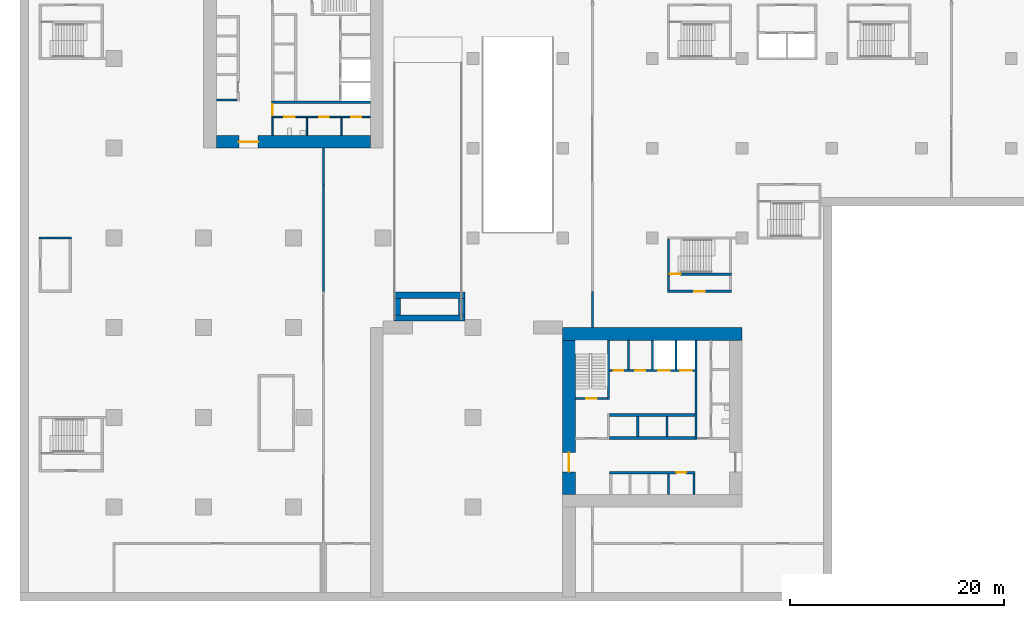
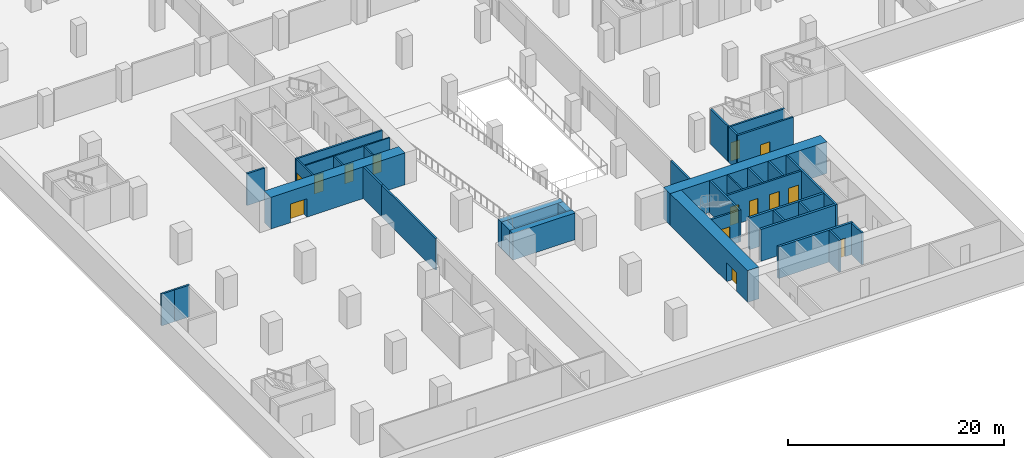
# One storey, part 4 of 18: 36 walls, 14 doors, 14 openings.
"""IFC4 building model written with IfcOpenShell, lengths in metres."""

from ifc_helpers import new_model, si_unit, direction, frame, frame_2d, origin, place, context, subcontext, project, spatial, rectangle, extrude, material, layer, layer_set, type_object, element, fill, save


model = new_model("IFC4")

# Units and contexts
model_context = context("Model", 3, precision=1e-05, world=origin(), true_north=direction((0.0, 1.0)))
body_context = subcontext(model_context, "Body", "Model", "MODEL_VIEW")
ifc_project = project(units=[si_unit("LENGTHUNIT", "METRE"), si_unit("AREAUNIT", "SQUARE_METRE"), si_unit("VOLUMEUNIT", "CUBIC_METRE"), si_unit("PLANEANGLEUNIT", "RADIAN"), si_unit("MASSUNIT", "GRAM", prefix="KILO")], contexts=[model_context])

# Site, building, storey
site_placement = place(None, origin())
site = spatial("IfcSite", under=ifc_project, at=site_placement, CompositionType="ELEMENT")
building_placement = place(site_placement, origin())
building = spatial("IfcBuilding", under=site, at=building_placement, Name="Vermilion Gate Residences", CompositionType="ELEMENT")
storey_placement = place(building_placement, frame((0.0, 0.0, -4.0)))
storey = spatial("IfcBuildingStorey", under=building, at=storey_placement, Name="B1", CompositionType="ELEMENT", Elevation=-4.0)

# Wall
ifc_material_1 = material(Name="Masonry blockwork", Category="masonry")
ifc_layer_1 = layer(ifc_material_1, 0.14990234375)
ifc_layer_set_1 = layer_set([ifc_layer_1], Name="BLOCKWORK PARTITION 150 EI 120")
wall_type_1 = type_object("IfcWallType", Name="BLOCKWORK PARTITION 150 EI 120", PredefinedType="PARTITIONING", material=ifc_layer_set_1)
wall_1_placement = place(storey_placement, frame((48.16259765625, 21.300048828125, 0.0), z_axis=(0.0, 0.0, 1.0), x_axis=(0.0, 1.0, 0.0)))
element("IfcWall", 1, at=wall_1_placement, inside=storey, type_object=wall_type_1, Name="Core room partition AB1-NR-P0", PredefinedType="PARTITIONING", context=body_context, shape_type="SweptSolid", body=[
    extrude(rectangle(XDim=2.699951171875, YDim=0.14990234375, at=frame_2d((1.35009765625, 0.0))), origin(), (0.0, 0.0, 1.0), 3.60009765625),
])

# Wall, opening, door
wall_2_placement = place(storey_placement, frame((14.824951171875, 46.199951171875, 0.0), z_axis=(0.0, 0.0, 1.0), x_axis=(0.0, -1.0, 0.0)))
wall_2 = element("IfcWall", 2, at=wall_2_placement, inside=storey, type_object=wall_type_1, Name="Core room partition BB1-ES-S", PredefinedType="PARTITIONING", context=body_context, shape_type="SweptSolid", body=[
    extrude(rectangle(XDim=3.0, YDim=0.14990234375, at=frame_2d((1.5, 0.0))), origin(), (0.0, 0.0, 1.0), 3.60009765625),
])
opening_1_placement = place(wall_2_placement, frame((0.10009765625, 0.0, 0.0)))
opening_1 = element("IfcOpeningElement", 3, at=opening_1_placement, cuts=wall_2, Name="Opening DKB1109", PredefinedType="OPENING", context=body_context, shape_type="SweptSolid", body=[
    extrude(rectangle(XDim=1.0, YDim=2.10009765625, at=frame_2d((0.5, 1.050048828125))), frame((0.0, 0.0849609375, 0.0), z_axis=(0.0, -1.0, 0.0), x_axis=(1.0, 0.0, 0.0)), (0.0, 0.0, 1.0), 0.169921875),
])
ifc_material_2 = material(Name="Steel", Category="steel")
door_type_1 = type_object("IfcDoorType", Name="FIRE DOOR FD60 1000 X 2100", OperationType="SINGLE_SWING_LEFT", PredefinedType="DOOR", material=ifc_material_2)
door_1_placement = place(opening_1_placement, frame((1.0, 0.0, 0.0), z_axis=(0.0, 0.0, 1.0), x_axis=(-1.0, 0.0, 0.0)))
door_1 = element("IfcDoor", 4, at=door_1_placement, inside=storey, type_object=door_type_1, Name="Service corridor door BB1", OperationType="SINGLE_SWING_LEFT", OverallHeight=2.10009765625, OverallWidth=1.0, PredefinedType="DOOR", context=body_context, shape_type="SweptSolid", body=[
    extrude(rectangle(XDim=1.0, YDim=2.10009765625, at=frame_2d((0.5, 1.050048828125))), frame((0.0, 0.02490234375, 0.0), z_axis=(0.0, -1.0, 0.0), x_axis=(1.0, 0.0, 0.0)), (0.0, 0.0, 1.0), 0.050048828125),
])
fill(opening_1, door_1)

# Walls
for number, where, z_axis, x_axis, name in (
    (5, (18.054931640625, 44.85009765625, 0.0), (0.0, 0.0, 1.0), (0.0, -1.0, 0.0), "Core room partition BB1-ES-P0"),
    (6, (21.284912109375, 44.85009765625, 0.0), (0.0, 0.0, 1.0), (0.0, -1.0, 0.0), "Core room partition BB1-ES-P1"),
):
    element("IfcWall", number, at=place(storey_placement, frame(where, z_axis=z_axis, x_axis=x_axis)), inside=storey, type_object=wall_type_1, Name=name, PredefinedType="PARTITIONING", context=body_context, shape_type="SweptSolid", body=[
        extrude(rectangle(XDim=1.650146484375, YDim=0.14990234375, at=frame_2d((0.8251953125, 0.0))), origin(), (0.0, 0.0, 1.0), 3.60009765625),
    ])

# Wall, openings, doors
wall_3_placement = place(storey_placement, frame((14.89990234375, 44.925048828125, 0.0), z_axis=(0.0, 0.0, 1.0), x_axis=(1.0, 0.0, 0.0)))
wall_3 = element("IfcWall", 7, at=wall_3_placement, inside=storey, type_object=wall_type_1, Name="Core room partition BB1-ES-W", PredefinedType="PARTITIONING", context=body_context, shape_type="SweptSolid", body=[
    extrude(rectangle(XDim=9.10009765625, YDim=0.14990234375, at=frame_2d((4.550048828125, 0.0))), origin(), (0.0, 0.0, 1.0), 3.60009765625),
])
opening_2_placement = place(wall_3_placement, frame((1.0400390625, 0.0, 0.0)))
opening_2 = element("IfcOpeningElement", 8, at=opening_2_placement, cuts=wall_3, Name="Opening DKB1110", PredefinedType="OPENING", context=body_context, shape_type="SweptSolid", body=[
    extrude(rectangle(XDim=1.0, YDim=2.10009765625, at=frame_2d((0.5, 1.050048828125))), frame((0.0, 0.0849609375, 0.0), z_axis=(0.0, -1.0, 0.0), x_axis=(1.0, 0.0, 0.0)), (0.0, 0.0, 1.0), 0.169921875),
])
opening_3_placement = place(wall_3_placement, frame((4.320068359375, 0.0, 0.0)))
opening_3 = element("IfcOpeningElement", 9, at=opening_3_placement, cuts=wall_3, Name="Opening DKB1111", PredefinedType="OPENING", context=body_context, shape_type="SweptSolid", body=[
    extrude(rectangle(XDim=0.89990234375, YDim=2.10009765625, at=frame_2d((0.449951171875, 1.050048828125))), frame((0.0, 0.0849609375, 0.0), z_axis=(0.0, -1.0, 0.0), x_axis=(1.0, 0.0, 0.0)), (0.0, 0.0, 1.0), 0.169921875),
])
opening_4_placement = place(wall_3_placement, frame((7.330078125, 0.0, 0.0)))
opening_4 = element("IfcOpeningElement", 10, at=opening_4_placement, cuts=wall_3, Name="Opening DKB1112", PredefinedType="OPENING", context=body_context, shape_type="SweptSolid", body=[
    extrude(rectangle(XDim=0.89990234375, YDim=2.10009765625, at=frame_2d((0.449951171875, 1.050048828125))), frame((0.0, 0.0849609375, 0.0), z_axis=(0.0, -1.0, 0.0), x_axis=(1.0, 0.0, 0.0)), (0.0, 0.0, 1.0), 0.169921875),
])
door_2_placement = place(opening_2_placement, frame((1.0, 0.0, 0.0), z_axis=(0.0, 0.0, 1.0), x_axis=(-1.0, 0.0, 0.0)))
door_2 = element("IfcDoor", 11, at=door_2_placement, inside=storey, type_object=door_type_1, Name="Accessible WC BB1", OperationType="SINGLE_SWING_LEFT", OverallHeight=2.10009765625, OverallWidth=1.0, PredefinedType="DOOR", context=body_context, shape_type="SweptSolid", body=[
    extrude(rectangle(XDim=1.0, YDim=2.10009765625, at=frame_2d((0.5, 1.050048828125))), frame((0.0, 0.02490234375, 0.0), z_axis=(0.0, -1.0, 0.0), x_axis=(1.0, 0.0, 0.0)), (0.0, 0.0, 1.0), 0.050048828125),
])
fill(opening_2, door_2)
ifc_material_3 = material(Name="Steel", Category="steel")
door_type_2 = type_object("IfcDoorType", Name="SERVICE ROOM DOOR FD60 900 X 2100", OperationType="SINGLE_SWING_LEFT", PredefinedType="DOOR", material=ifc_material_3)
door_3_placement = place(opening_3_placement, frame((0.89990234375, 0.0, 0.0), z_axis=(0.0, 0.0, 1.0), x_axis=(-1.0, 0.0, 0.0)))
door_3 = element("IfcDoor", 12, at=door_3_placement, inside=storey, type_object=door_type_2, Name="Refuse room BB1", OperationType="SINGLE_SWING_RIGHT", OverallHeight=2.10009765625, OverallWidth=0.89990234375, PredefinedType="DOOR", context=body_context, shape_type="SweptSolid", body=[
    extrude(rectangle(XDim=0.89990234375, YDim=2.10009765625, at=frame_2d((0.449951171875, 1.050048828125))), frame((0.0, 0.02490234375, 0.0), z_axis=(0.0, -1.0, 0.0), x_axis=(1.0, 0.0, 0.0)), (0.0, 0.0, 1.0), 0.050048828125),
])
fill(opening_3, door_3)
door_4_placement = place(opening_4_placement, frame((0.89990234375, 0.0, 0.0), z_axis=(0.0, 0.0, 1.0), x_axis=(-1.0, 0.0, 0.0)))
door_4 = element("IfcDoor", 13, at=door_4_placement, inside=storey, type_object=door_type_2, Name="Parcel room BB1", OperationType="SINGLE_SWING_LEFT", OverallHeight=2.10009765625, OverallWidth=0.89990234375, PredefinedType="DOOR", context=body_context, shape_type="SweptSolid", body=[
    extrude(rectangle(XDim=0.89990234375, YDim=2.10009765625, at=frame_2d((0.449951171875, 1.050048828125))), frame((0.0, 0.02490234375, 0.0), z_axis=(0.0, -1.0, 0.0), x_axis=(1.0, 0.0, 0.0)), (0.0, 0.0, 1.0), 0.050048828125),
])
fill(opening_4, door_4)

# Walls
ifc_material_4 = material(Name="Concrete blockwork", Category="masonry")
ifc_layer_2 = layer(ifc_material_4, 0.199951171875)
ifc_layer_set_2 = layer_set([ifc_layer_2], Name="FIRE WALL 200 EI 120 (AMENITY)")
wall_type_2 = type_object("IfcWallType", Name="FIRE WALL 200 EI 120 (AMENITY)", PredefinedType="PARTITIONING", material=ifc_layer_set_2)
wall_4_placement = place(storey_placement, frame((-7.0, 33.60009765625, 0.0), z_axis=(0.0, 0.0, 1.0), x_axis=(1.0, 0.0, 0.0)))
element("IfcWall", 14, at=wall_4_placement, inside=storey, type_object=wall_type_2, Name="Fire-resisting wall 8", PredefinedType="PARTITIONING", context=body_context, shape_type="SweptSolid", body=[
    extrude(rectangle(XDim=1.39990234375, YDim=0.199951171875, at=frame_2d((0.699951171875, 0.0))), origin(), (0.0, 0.0, 1.0), 3.60009765625),
])
wall_5_placement = place(storey_placement, frame((-5.60009765625, 33.60009765625, 0.0), z_axis=(0.0, 0.0, 1.0), x_axis=(1.0, 0.0, 0.0)))
element("IfcWall", 15, at=wall_5_placement, inside=storey, type_object=wall_type_2, Name="Fire-resisting wall 20", PredefinedType="PARTITIONING", context=body_context, shape_type="SweptSolid", body=[
    extrude(rectangle(XDim=1.60009765625, YDim=0.199951171875, at=frame_2d((0.800048828125, 0.0))), origin(), (0.0, 0.0, 1.0), 3.60009765625),
])
ifc_material_5 = material(Name="Concrete blockwork", Category="masonry")
ifc_layer_3 = layer(ifc_material_5, 0.199951171875)
ifc_layer_set_3 = layer_set([ifc_layer_3], Name="GARAGE FIRE WALL 200 EI 120 (AMENITY)")
wall_type_3 = type_object("IfcWallType", Name="GARAGE FIRE WALL 200 EI 120 (AMENITY)", PredefinedType="PARTITIONING", material=ifc_layer_set_3)
wall_6_placement = place(storey_placement, frame((19.60009765625, 28.60009765625, 0.0), z_axis=(0.0, 0.0, 1.0), x_axis=(0.0, 1.0, 0.0)))
element("IfcWall", 16, at=wall_6_placement, inside=storey, type_object=wall_type_3, Name="Fire compartment wall", PredefinedType="PARTITIONING", context=body_context, shape_type="SweptSolid", body=[
    extrude(rectangle(XDim=10.0, YDim=0.199951171875, at=frame_2d((5.0, 0.0))), origin(), (0.0, 0.0, 1.0), 3.60009765625),
])
wall_7_placement = place(storey_placement, frame((19.60009765625, 38.60009765625, 0.0), z_axis=(0.0, 0.0, 1.0), x_axis=(0.0, 1.0, 0.0)))
element("IfcWall", 17, at=wall_7_placement, inside=storey, type_object=wall_type_3, Name="Fire compartment wall", PredefinedType="PARTITIONING", context=body_context, shape_type="SweptSolid", body=[
    extrude(rectangle(XDim=3.39990234375, YDim=0.199951171875, at=frame_2d((1.699951171875, 0.0))), origin(), (0.0, 0.0, 1.0), 3.60009765625),
])
wall_8_placement = place(storey_placement, frame((44.800048828125, 25.199951171875, 0.0), z_axis=(0.0, 0.0, 1.0), x_axis=(0.0, 1.0, 0.0)))
element("IfcWall", 18, at=wall_8_placement, inside=storey, type_object=wall_type_3, Name="Fire compartment wall", PredefinedType="PARTITIONING", context=body_context, shape_type="SweptSolid", body=[
    extrude(rectangle(XDim=3.400146484375, YDim=0.199951171875, at=frame_2d((1.7001953125, 0.0))), origin(), (0.0, 0.0, 1.0), 3.60009765625),
])
ifc_material_6 = material(Name="Concrete C40", Category="concrete")
ifc_layer_4 = layer(ifc_material_6, 0.60009765625)
ifc_layer_set_4 = layer_set([ifc_layer_4], Name="RAMP ABUTMENT WALL 600 (AMENITY)")
wall_type_4 = type_object("IfcWallType", Name="RAMP ABUTMENT WALL 600 (AMENITY)", PredefinedType="SOLIDWALL", material=ifc_layer_set_4)
for number, where, z_axis, x_axis, name in (
    (19, (26.199951171875, 28.25, 0.5), (0.0, 0.0, 1.0), (1.0, 0.0, 0.0), "Ramp 1 abutment springing wall"),
    (20, (26.199951171875, 26.10009765625, 0.5), (0.0, 0.0, 1.0), (1.0, 0.0, 0.0), "Ramp 1 abutment head wall"),
):
    element("IfcWall", number, at=place(storey_placement, frame(where, z_axis=z_axis, x_axis=x_axis)), inside=storey, type_object=wall_type_4, Name=name, PredefinedType="SOLIDWALL", context=body_context, shape_type="SweptSolid", body=[
        extrude(rectangle(XDim=6.650146484375, YDim=0.60009765625, at=frame_2d((3.3251953125, 0.0))), origin(), (0.0, 0.0, 1.0), 3.02001953125),
    ])
for number, where, z_axis, x_axis, name in (
    (21, (26.5, 26.39990234375, 0.5), (0.0, 0.0, 1.0), (0.0, 1.0, 0.0), "Ramp 1 abutment west wing wall"),
    (22, (32.550048828125, 26.39990234375, 0.5), (0.0, 0.0, 1.0), (0.0, 1.0, 0.0), "Ramp 1 abutment east wing wall"),
):
    element("IfcWall", number, at=place(storey_placement, frame(where, z_axis=z_axis, x_axis=x_axis)), inside=storey, type_object=wall_type_4, Name=name, PredefinedType="SOLIDWALL", context=body_context, shape_type="SweptSolid", body=[
        extrude(rectangle(XDim=1.550048828125, YDim=0.60009765625, at=frame_2d((0.77490234375, 0.0))), origin(), (0.0, 0.0, 1.0), 3.02001953125),
    ])
ifc_material_7 = material(Name="Concrete C60", Category="concrete")
ifc_layer_5 = layer(ifc_material_7, 0.199951171875)
ifc_layer_set_5 = layer_set([ifc_layer_5], Name="RC CORE INTERNAL WALL 200 C60")
wall_type_5 = type_object("IfcWallType", Name="RC CORE INTERNAL WALL 200 C60", PredefinedType="SHEAR", material=ifc_layer_set_5)
for number, where, z_axis, x_axis, name in (
    (23, (51.89990234375, 9.60009765625, 0.0), (0.0, 0.0, 1.0), (0.0, 1.0, 0.0), "Core internal wall AB1-LR-D3"),
    (24, (54.300048828125, 9.60009765625, 0.0), (0.0, 0.0, 1.0), (0.0, 1.0, 0.0), "Core internal wall AB1-LR-DE"),
    (25, (49.033447265625, 15.0, 0.0), (0.0, 0.0, 1.0), (0.0, 1.0, 0.0), "Core internal wall AB1-HR-D1"),
    (26, (51.7666015625, 15.0, 0.0), (0.0, 0.0, 1.0), (0.0, 1.0, 0.0), "Core internal wall AB1-HR-D2"),
):
    element("IfcWall", number, at=place(storey_placement, frame(where, z_axis=z_axis, x_axis=x_axis)), inside=storey, type_object=wall_type_5, Name=name, PredefinedType="SHEAR", context=body_context, shape_type="SweptSolid", body=[
        extrude(rectangle(XDim=1.89990234375, YDim=0.199951171875, at=frame_2d((0.949951171875, 0.0))), origin(), (0.0, 0.0, 1.0), 3.60009765625),
    ])
for number, where, z_axis, x_axis, name in (
    (27, (50.39990234375, 21.300048828125, 0.0), (0.0, 0.0, 1.0), (0.0, 1.0, 0.0), "Core internal wall AB1-FF-D0"),
    (28, (52.60009765625, 21.300048828125, 0.0), (0.0, 0.0, 1.0), (0.0, 1.0, 0.0), "Core internal wall AB1-FF-D1"),
):
    element("IfcWall", number, at=place(storey_placement, frame(where, z_axis=z_axis, x_axis=x_axis)), inside=storey, type_object=wall_type_5, Name=name, PredefinedType="SHEAR", context=body_context, shape_type="SweptSolid", body=[
        extrude(rectangle(XDim=2.699951171875, YDim=0.199951171875, at=frame_2d((1.35009765625, 0.0))), origin(), (0.0, 0.0, 1.0), 3.60009765625),
    ])

# Wall, openings, doors
wall_9_placement = place(storey_placement, frame((46.39990234375, 21.199951171875, 0.0), z_axis=(0.0, 0.0, 1.0), x_axis=(1.0, 0.0, 0.0)))
wall_9 = element("IfcWall", 29, at=wall_9_placement, inside=storey, type_object=wall_type_5, Name="Core internal wall AB1-FF-F", PredefinedType="SHEAR", context=body_context, shape_type="SweptSolid", body=[
    extrude(rectangle(XDim=8.0, YDim=0.199951171875, at=frame_2d((4.0, 0.0))), origin(), (0.0, 0.0, 1.0), 3.60009765625),
])
opening_5_placement = place(wall_9_placement, frame((0.393798828125, 0.0, 0.0)))
opening_5 = element("IfcOpeningElement", 30, at=opening_5_placement, cuts=wall_9, Name="Opening DKB1004", PredefinedType="OPENING", context=body_context, shape_type="SweptSolid", body=[
    extrude(rectangle(XDim=0.89990234375, YDim=2.10009765625, at=frame_2d((0.449951171875, 1.050048828125))), frame((0.0, 0.10986328125, 0.0), z_axis=(0.0, -1.0, 0.0), x_axis=(1.0, 0.0, 0.0)), (0.0, 0.0, 1.0), 0.219970703125),
])
opening_6_placement = place(wall_9_placement, frame((2.418701171875, 0.0, 0.0)))
opening_6 = element("IfcOpeningElement", 31, at=opening_6_placement, cuts=wall_9, Name="Opening DKB1005", PredefinedType="OPENING", context=body_context, shape_type="SweptSolid", body=[
    extrude(rectangle(XDim=0.89990234375, YDim=2.10009765625, at=frame_2d((0.449951171875, 1.050048828125))), frame((0.0, 0.10986328125, 0.0), z_axis=(0.0, -1.0, 0.0), x_axis=(1.0, 0.0, 0.0)), (0.0, 0.0, 1.0), 0.219970703125),
])
opening_7_placement = place(wall_9_placement, frame((4.550048828125, 0.0, 0.0)))
opening_7 = element("IfcOpeningElement", 32, at=opening_7_placement, cuts=wall_9, Name="Opening LD", PredefinedType="OPENING", context=body_context, shape_type="SweptSolid", body=[
    extrude(rectangle(XDim=1.10009765625, YDim=2.10009765625, at=frame_2d((0.550048828125, 1.050048828125))), frame((0.0, 0.10986328125, 0.0), z_axis=(0.0, -1.0, 0.0), x_axis=(1.0, 0.0, 0.0)), (0.0, 0.0, 1.0), 0.219970703125),
])
opening_8_placement = place(wall_9_placement, frame((6.60009765625, 0.0, 0.0)))
opening_8 = element("IfcOpeningElement", 33, at=opening_8_placement, cuts=wall_9, Name="Opening LD", PredefinedType="OPENING", context=body_context, shape_type="SweptSolid", body=[
    extrude(rectangle(XDim=1.10009765625, YDim=2.10009765625, at=frame_2d((0.550048828125, 1.050048828125))), frame((0.0, 0.10986328125, 0.0), z_axis=(0.0, -1.0, 0.0), x_axis=(1.0, 0.0, 0.0)), (0.0, 0.0, 1.0), 0.219970703125),
])
ifc_material_8 = material(Name="Stainless steel", Category="steel")
door_type_3 = type_object("IfcDoorType", Name="LIFT LANDING DOOR E60 1100 X 2100", OperationType="DOUBLE_DOOR_SLIDING", PredefinedType="DOOR", material=ifc_material_8)
door_5_placement = place(opening_7_placement, origin())
door_5 = element("IfcDoor", 34, at=door_5_placement, inside=storey, type_object=door_type_3, Name="Lift landing door LFA1", OperationType="DOUBLE_DOOR_SLIDING", OverallHeight=2.10009765625, OverallWidth=1.10009765625, PredefinedType="DOOR", context=body_context, shape_type="SweptSolid", body=[
    extrude(rectangle(XDim=1.10009765625, YDim=2.10009765625, at=frame_2d((0.550048828125, 1.050048828125))), frame((0.0, 0.02490234375, 0.0), z_axis=(0.0, -1.0, 0.0), x_axis=(1.0, 0.0, 0.0)), (0.0, 0.0, 1.0), 0.050048828125),
])
fill(opening_7, door_5)
door_6_placement = place(opening_8_placement, origin())
door_6 = element("IfcDoor", 35, at=door_6_placement, inside=storey, type_object=door_type_3, Name="Lift landing door LCA1", OperationType="DOUBLE_DOOR_SLIDING", OverallHeight=2.10009765625, OverallWidth=1.10009765625, PredefinedType="DOOR", context=body_context, shape_type="SweptSolid", body=[
    extrude(rectangle(XDim=1.10009765625, YDim=2.10009765625, at=frame_2d((0.550048828125, 1.050048828125))), frame((0.0, 0.02490234375, 0.0), z_axis=(0.0, -1.0, 0.0), x_axis=(1.0, 0.0, 0.0)), (0.0, 0.0, 1.0), 0.050048828125),
])
fill(opening_8, door_6)
door_7_placement = place(opening_5_placement, origin())
door_7 = element("IfcDoor", 36, at=door_7_placement, inside=storey, type_object=door_type_2, Name="Electrical riser AB1", OperationType="SINGLE_SWING_LEFT", OverallHeight=2.10009765625, OverallWidth=0.89990234375, PredefinedType="DOOR", context=body_context, shape_type="SweptSolid", body=[
    extrude(rectangle(XDim=0.89990234375, YDim=2.10009765625, at=frame_2d((0.449951171875, 1.050048828125))), frame((0.0, 0.02490234375, 0.0), z_axis=(0.0, -1.0, 0.0), x_axis=(1.0, 0.0, 0.0)), (0.0, 0.0, 1.0), 0.050048828125),
])
fill(opening_5, door_7)
door_8_placement = place(opening_6_placement, origin())
door_8 = element("IfcDoor", 37, at=door_8_placement, inside=storey, type_object=door_type_2, Name="Cleaner's store AB1", OperationType="SINGLE_SWING_LEFT", OverallHeight=2.10009765625, OverallWidth=0.89990234375, PredefinedType="DOOR", context=body_context, shape_type="SweptSolid", body=[
    extrude(rectangle(XDim=0.89990234375, YDim=2.10009765625, at=frame_2d((0.449951171875, 1.050048828125))), frame((0.0, 0.02490234375, 0.0), z_axis=(0.0, -1.0, 0.0), x_axis=(1.0, 0.0, 0.0)), (0.0, 0.0, 1.0), 0.050048828125),
])
fill(opening_6, door_8)

# Wall
wall_10_placement = place(storey_placement, frame((46.300048828125, 18.449951171875, 0.0), z_axis=(0.0, 0.0, 1.0), x_axis=(0.0, 1.0, 0.0)))
element("IfcWall", 38, at=wall_10_placement, inside=storey, type_object=wall_type_5, Name="Core internal wall AB1-WDIV2", PredefinedType="SHEAR", context=body_context, shape_type="SweptSolid", body=[
    extrude(rectangle(XDim=5.550048828125, YDim=0.199951171875, at=frame_2d((2.77490234375, 0.0))), origin(), (0.0, 0.0, 1.0), 3.60009765625),
])

# Wall, opening, door
wall_11_placement = place(storey_placement, frame((43.199951171875, 18.550048828125, 0.0), z_axis=(0.0, 0.0, 1.0), x_axis=(1.0, 0.0, 0.0)))
wall_11 = element("IfcWall", 39, at=wall_11_placement, inside=storey, type_object=wall_type_5, Name="Core internal wall AB1-STW-S", PredefinedType="SHEAR", context=body_context, shape_type="SweptSolid", body=[
    extrude(rectangle(XDim=3.0, YDim=0.199951171875, at=frame_2d((1.5, 0.0))), origin(), (0.0, 0.0, 1.0), 3.60009765625),
])
opening_9_placement = place(wall_11_placement, frame((1.0, 0.0, 0.0)))
opening_9 = element("IfcOpeningElement", 40, at=opening_9_placement, cuts=wall_11, Name="Opening DKB1009", PredefinedType="OPENING", context=body_context, shape_type="SweptSolid", body=[
    extrude(rectangle(XDim=1.0, YDim=2.10009765625, at=frame_2d((0.5, 1.050048828125))), frame((0.0, 0.10986328125, 0.0), z_axis=(0.0, -1.0, 0.0), x_axis=(1.0, 0.0, 0.0)), (0.0, 0.0, 1.0), 0.219970703125),
])
door_9_placement = place(opening_9_placement, origin())
door_9 = element("IfcDoor", 41, at=door_9_placement, inside=storey, type_object=door_type_1, Name="Stair door AB1", OperationType="SINGLE_SWING_LEFT", OverallHeight=2.10009765625, OverallWidth=1.0, PredefinedType="DOOR", context=body_context, shape_type="SweptSolid", body=[
    extrude(rectangle(XDim=1.0, YDim=2.10009765625, at=frame_2d((0.5, 1.050048828125))), frame((0.0, 0.02490234375, 0.0), z_axis=(0.0, -1.0, 0.0), x_axis=(1.0, 0.0, 0.0)), (0.0, 0.0, 1.0), 0.050048828125),
])
fill(opening_9, door_9)

# Walls
wall_12_placement = place(storey_placement, frame((54.5, 14.75, 0.0), z_axis=(0.0, 0.0, 1.0), x_axis=(0.0, 1.0, 0.0)))
element("IfcWall", 42, at=wall_12_placement, inside=storey, type_object=wall_type_5, Name="Core internal wall AB1-EDIV", PredefinedType="SHEAR", context=body_context, shape_type="SweptSolid", body=[
    extrude(rectangle(XDim=9.25, YDim=0.199951171875, at=frame_2d((4.625, 0.0))), origin(), (0.0, 0.0, 1.0), 3.60009765625),
])
wall_13_placement = place(storey_placement, frame((9.60009765625, 46.5, 0.0), z_axis=(0.0, 0.0, 1.0), x_axis=(1.0, 0.0, 0.0)))
element("IfcWall", 43, at=wall_13_placement, inside=storey, type_object=wall_type_5, Name="Core internal wall BB1-LR-DE", PredefinedType="SHEAR", context=body_context, shape_type="SweptSolid", body=[
    extrude(rectangle(XDim=1.89990234375, YDim=0.199951171875, at=frame_2d((0.949951171875, 0.0))), origin(), (0.0, 0.0, 1.0), 3.60009765625),
])
wall_14_placement = place(storey_placement, frame((14.75, 46.300048828125, 0.0), z_axis=(0.0, 0.0, 1.0), x_axis=(1.0, 0.0, 0.0)))
element("IfcWall", 44, at=wall_14_placement, inside=storey, type_object=wall_type_5, Name="Core internal wall BB1-EDIV", PredefinedType="SHEAR", context=body_context, shape_type="SweptSolid", body=[
    extrude(rectangle(XDim=9.25, YDim=0.199951171875, at=frame_2d((4.625, 0.0))), origin(), (0.0, 0.0, 1.0), 3.60009765625),
])
ifc_material_9 = material(Name="Concrete C80", Category="concrete")
ifc_layer_6 = layer(ifc_material_9, 1.199951171875)
ifc_layer_set_6 = layer_set([ifc_layer_6], Name="RC CORE WALL 1200 C80")
wall_type_6 = type_object("IfcWallType", Name="RC CORE WALL 1200 C80", PredefinedType="SHEAR", material=ifc_layer_set_6)
wall_15_placement = place(storey_placement, frame((42.0, 24.60009765625, 0.0), z_axis=(0.0, 0.0, 1.0), x_axis=(1.0, 0.0, 0.0)))
element("IfcWall", 45, at=wall_15_placement, inside=storey, type_object=wall_type_6, Name="Core wall AB1-OUT-B1", PredefinedType="SHEAR", context=body_context, shape_type="SweptSolid", body=[
    extrude(rectangle(XDim=16.800048828125, YDim=1.199951171875, at=frame_2d((8.39990234375, 0.0))), origin(), (0.0, 0.0, 1.0), 3.60009765625),
])

# Wall, opening, door
wall_16_placement = place(storey_placement, frame((42.60009765625, 9.60009765625, 0.0), z_axis=(0.0, 0.0, 1.0), x_axis=(0.0, 1.0, 0.0)))
wall_16 = element("IfcWall", 46, at=wall_16_placement, inside=storey, type_object=wall_type_6, Name="Core wall AB1-OUT-FR", PredefinedType="SHEAR", context=body_context, shape_type="SweptSolid", body=[
    extrude(rectangle(XDim=14.39990234375, YDim=1.199951171875, at=frame_2d((7.199951171875, 0.0))), origin(), (0.0, 0.0, 1.0), 3.60009765625),
])
opening_10_placement = place(wall_16_placement, frame((2.10009765625, 0.0, 0.0)))
opening_10 = element("IfcOpeningElement", 47, at=opening_10_placement, cuts=wall_16, Name="Opening DKB1001", PredefinedType="OPENING", context=body_context, shape_type="SweptSolid", body=[
    extrude(rectangle(XDim=1.800048828125, YDim=2.10009765625, at=frame_2d((0.89990234375, 1.050048828125))), frame((0.0, 0.60986328125, 0.0), z_axis=(0.0, -1.0, 0.0), x_axis=(1.0, 0.0, 0.0)), (0.0, 0.0, 1.0), 1.219970703125),
])
ifc_material_10 = material(Name="Steel", Category="steel")
door_type_4 = type_object("IfcDoorType", Name="CORE LOBBY DOOR FD60 1800 X 2100", OperationType="DOUBLE_DOOR_SINGLE_SWING", PredefinedType="DOOR", material=ifc_material_10)
door_10_placement = place(opening_10_placement, frame((1.800048828125, 0.0, 0.0), z_axis=(0.0, 0.0, 1.0), x_axis=(-1.0, 0.0, 0.0)))
door_10 = element("IfcDoor", 48, at=door_10_placement, inside=storey, type_object=door_type_4, Name="Core lobby door AB1", OperationType="DOUBLE_DOOR_SINGLE_SWING", OverallHeight=2.10009765625, OverallWidth=1.800048828125, PredefinedType="DOOR", context=body_context, shape_type="SweptSolid", body=[
    extrude(rectangle(XDim=1.800048828125, YDim=2.10009765625, at=frame_2d((0.89990234375, 1.050048828125))), frame((0.0, 0.02490234375, 0.0), z_axis=(0.0, -1.0, 0.0), x_axis=(1.0, 0.0, 0.0)), (0.0, 0.0, 1.0), 0.050048828125),
])
fill(opening_10, door_10)

wall_17_placement = place(storey_placement, frame((9.60009765625, 42.60009765625, 0.0), z_axis=(0.0, 0.0, 1.0), x_axis=(1.0, 0.0, 0.0)))
wall_17 = element("IfcWall", 49, at=wall_17_placement, inside=storey, type_object=wall_type_6, Name="Core wall BB1-OUT-BK", PredefinedType="SHEAR", context=body_context, shape_type="SweptSolid", body=[
    extrude(rectangle(XDim=14.39990234375, YDim=1.199951171875, at=frame_2d((7.199951171875, 0.0))), origin(), (0.0, 0.0, 1.0), 3.60009765625),
])
opening_11_placement = place(wall_17_placement, frame((2.10009765625, 0.0, 0.0)))
opening_11 = element("IfcOpeningElement", 50, at=opening_11_placement, cuts=wall_17, Name="Opening DKB1101", PredefinedType="OPENING", context=body_context, shape_type="SweptSolid", body=[
    extrude(rectangle(XDim=1.800048828125, YDim=2.10009765625, at=frame_2d((0.89990234375, 1.050048828125))), frame((0.0, 0.60986328125, 0.0), z_axis=(0.0, -1.0, 0.0), x_axis=(1.0, 0.0, 0.0)), (0.0, 0.0, 1.0), 1.219970703125),
])
door_11_placement = place(opening_11_placement, frame((1.800048828125, 0.0, 0.0), z_axis=(0.0, 0.0, 1.0), x_axis=(-1.0, 0.0, 0.0)))
door_11 = element("IfcDoor", 51, at=door_11_placement, inside=storey, type_object=door_type_4, Name="Core lobby door BB1", OperationType="DOUBLE_DOOR_SINGLE_SWING", OverallHeight=2.10009765625, OverallWidth=1.800048828125, PredefinedType="DOOR", context=body_context, shape_type="SweptSolid", body=[
    extrude(rectangle(XDim=1.800048828125, YDim=2.10009765625, at=frame_2d((0.89990234375, 1.050048828125))), frame((0.0, 0.02490234375, 0.0), z_axis=(0.0, -1.0, 0.0), x_axis=(1.0, 0.0, 0.0)), (0.0, 0.0, 1.0), 0.050048828125),
])
fill(opening_11, door_11)

ifc_material_11 = material(Name="Concrete C60", Category="concrete")
ifc_layer_7 = layer(ifc_material_11, 0.25)
ifc_layer_set_7 = layer_set([ifc_layer_7], Name="RC LIFT SHAFT WALL 250 C60")
wall_type_7 = type_object("IfcWallType", Name="RC LIFT SHAFT WALL 250 C60", PredefinedType="SHEAR", material=ifc_layer_set_7)
wall_18_placement = place(storey_placement, frame((46.39990234375, 11.625, 0.0), z_axis=(0.0, 0.0, 1.0), x_axis=(1.0, 0.0, 0.0)))
wall_18 = element("IfcWall", 52, at=wall_18_placement, inside=storey, type_object=wall_type_7, Name="Lift shaft wall AB1-LR-F", PredefinedType="SHEAR", context=body_context, shape_type="SweptSolid", body=[
    extrude(rectangle(XDim=8.0, YDim=0.25, at=frame_2d((4.0, 0.0))), origin(), (0.0, 0.0, 1.0), 3.60009765625),
])
opening_12_placement = place(wall_18_placement, frame((6.25, 0.0, 0.0)))
opening_12 = element("IfcOpeningElement", 53, at=opening_12_placement, cuts=wall_18, Name="Opening DKB1003", PredefinedType="OPENING", context=body_context, shape_type="SweptSolid", body=[
    extrude(rectangle(XDim=0.89990234375, YDim=2.10009765625, at=frame_2d((0.449951171875, 1.050048828125))), frame((0.0, 0.135009765625, 0.0), z_axis=(0.0, -1.0, 0.0), x_axis=(1.0, 0.0, 0.0)), (0.0, 0.0, 1.0), 0.27001953125),
])
door_12_placement = place(opening_12_placement, frame((0.89990234375, 0.0, 0.0), z_axis=(0.0, 0.0, 1.0), x_axis=(-1.0, 0.0, 0.0)))
door_12 = element("IfcDoor", 54, at=door_12_placement, inside=storey, type_object=door_type_2, Name="Cleaner's store AB1", OperationType="SINGLE_SWING_RIGHT", OverallHeight=2.10009765625, OverallWidth=0.89990234375, PredefinedType="DOOR", context=body_context, shape_type="SweptSolid", body=[
    extrude(rectangle(XDim=0.89990234375, YDim=2.10009765625, at=frame_2d((0.449951171875, 1.050048828125))), frame((0.0, 0.02490234375, 0.0), z_axis=(0.0, -1.0, 0.0), x_axis=(1.0, 0.0, 0.0)), (0.0, 0.0, 1.0), 0.050048828125),
])
fill(opening_12, door_12)

# Walls
for number, where, z_axis, x_axis, name in (
    (55, (46.39990234375, 14.875, 0.0), (0.0, 0.0, 1.0), (1.0, 0.0, 0.0), "Lift shaft wall AB1-HR-F"),
    (56, (46.39990234375, 17.02490234375, 0.0), (0.0, 0.0, 1.0), (1.0, 0.0, 0.0), "Lift shaft wall AB1-HR-B"),
):
    element("IfcWall", number, at=place(storey_placement, frame(where, z_axis=z_axis, x_axis=x_axis)), inside=storey, type_object=wall_type_7, Name=name, PredefinedType="SHEAR", context=body_context, shape_type="SweptSolid", body=[
        extrude(rectangle(XDim=8.0, YDim=0.25, at=frame_2d((4.0, 0.0))), origin(), (0.0, 0.0, 1.0), 3.60009765625),
    ])
ifc_material_12 = material(Name="Concrete C40", Category="concrete")
ifc_layer_8 = layer(ifc_material_12, 0.199951171875)
ifc_layer_set_8 = layer_set([ifc_layer_8], Name="RC STAIR AND SHAFT WALL 200 EI 180 C40 (AMENITY)")
wall_type_8 = type_object("IfcWallType", Name="RC STAIR AND SHAFT WALL 200 EI 180 C40 (AMENITY)", PredefinedType="SOLIDWALL", material=ifc_layer_set_8)
wall_19_placement = place(storey_placement, frame((51.89990234375, 28.699951171875, 0.0), z_axis=(0.0, 0.0, 1.0), x_axis=(0.0, 1.0, 0.0)))
element("IfcWall", 57, at=wall_19_placement, inside=storey, type_object=wall_type_8, Name="Stair and shaft wall 66", PredefinedType="SOLIDWALL", context=body_context, shape_type="SweptSolid", body=[
    extrude(rectangle(XDim=1.400146484375, YDim=0.199951171875, at=frame_2d((0.7001953125, 0.0))), origin(), (0.0, 0.0, 1.0), 4.0),
])

# Wall, opening, door
wall_20_placement = place(storey_placement, frame((51.800048828125, 28.60009765625, 0.0), z_axis=(0.0, 0.0, 1.0), x_axis=(1.0, 0.0, 0.0)))
wall_20 = element("IfcWall", 58, at=wall_20_placement, inside=storey, type_object=wall_type_8, Name="Stair and shaft wall 67", PredefinedType="SOLIDWALL", context=body_context, shape_type="SweptSolid", body=[
    extrude(rectangle(XDim=6.0, YDim=0.199951171875, at=frame_2d((3.0, 0.0))), origin(), (0.0, 0.0, 1.0), 4.0),
])
opening_13_placement = place(wall_20_placement, frame((2.5, 0.0, 0.0)))
opening_13 = element("IfcOpeningElement", 59, at=opening_13_placement, cuts=wall_20, Name="Opening DMB1011", PredefinedType="OPENING", context=body_context, shape_type="SweptSolid", body=[
    extrude(rectangle(XDim=1.0, YDim=2.10009765625, at=frame_2d((0.5, 1.050048828125))), frame((0.0, 0.10986328125, 0.0), z_axis=(0.0, -1.0, 0.0), x_axis=(1.0, 0.0, 0.0)), (0.0, 0.0, 1.0), 0.219970703125),
])
ifc_material_13 = material(Name="Steel", Category="steel")
door_type_5 = type_object("IfcDoorType", Name="DOOR 1000 X 2100 FD60 (AMENITY)", OperationType="SINGLE_SWING_LEFT", PredefinedType="DOOR", material=ifc_material_13)
door_13_placement = place(opening_13_placement, frame((1.0, 0.0, 0.0), z_axis=(0.0, 0.0, 1.0), x_axis=(-1.0, 0.0, 0.0)))
door_13 = element("IfcDoor", 60, at=door_13_placement, inside=storey, type_object=door_type_5, Name="Door B1 11", OperationType="SINGLE_SWING_RIGHT", OverallHeight=2.10009765625, OverallWidth=1.0, PredefinedType="DOOR", context=body_context, shape_type="SweptSolid", body=[
    extrude(rectangle(XDim=1.0, YDim=2.10009765625, at=frame_2d((0.5, 1.050048828125))), frame((0.0, 0.02490234375, 0.0), z_axis=(0.0, -1.0, 0.0), x_axis=(1.0, 0.0, 0.0)), (0.0, 0.0, 1.0), 0.050048828125),
])
fill(opening_13, door_13)

# Wall
wall_21_placement = place(storey_placement, frame((51.89990234375, 30.300048828125, 0.0), z_axis=(0.0, 0.0, 1.0), x_axis=(0.0, 1.0, 0.0)))
element("IfcWall", 61, at=wall_21_placement, inside=storey, type_object=wall_type_8, Name="Stair and shaft wall 68", PredefinedType="SOLIDWALL", context=body_context, shape_type="SweptSolid", body=[
    extrude(rectangle(XDim=3.199951171875, YDim=0.199951171875, at=frame_2d((1.60009765625, 0.0))), origin(), (0.0, 0.0, 1.0), 4.0),
])

# Wall, opening, door
wall_22_placement = place(storey_placement, frame((51.800048828125, 30.199951171875, 0.0), z_axis=(0.0, 0.0, 1.0), x_axis=(1.0, 0.0, 0.0)))
wall_22 = element("IfcWall", 62, at=wall_22_placement, inside=storey, type_object=wall_type_8, Name="Stair and shaft wall 69", PredefinedType="SOLIDWALL", context=body_context, shape_type="SweptSolid", body=[
    extrude(rectangle(XDim=6.0, YDim=0.199951171875, at=frame_2d((3.0, 0.0))), origin(), (0.0, 0.0, 1.0), 4.0),
])
opening_14_placement = place(wall_22_placement, frame((0.25, 0.0, 0.0)))
opening_14 = element("IfcOpeningElement", 63, at=opening_14_placement, cuts=wall_22, Name="Opening DMB1012", PredefinedType="OPENING", context=body_context, shape_type="SweptSolid", body=[
    extrude(rectangle(XDim=1.0, YDim=2.10009765625, at=frame_2d((0.5, 1.050048828125))), frame((0.0, 0.10986328125, 0.0), z_axis=(0.0, -1.0, 0.0), x_axis=(1.0, 0.0, 0.0)), (0.0, 0.0, 1.0), 0.219970703125),
])
door_14_placement = place(opening_14_placement, origin())
door_14 = element("IfcDoor", 64, at=door_14_placement, inside=storey, type_object=door_type_5, Name="Door B1 12", OperationType="SINGLE_SWING_RIGHT", OverallHeight=2.10009765625, OverallWidth=1.0, PredefinedType="DOOR", context=body_context, shape_type="SweptSolid", body=[
    extrude(rectangle(XDim=1.0, YDim=2.10009765625, at=frame_2d((0.5, 1.050048828125))), frame((0.0, 0.02490234375, 0.0), z_axis=(0.0, -1.0, 0.0), x_axis=(1.0, 0.0, 0.0)), (0.0, 0.0, 1.0), 0.050048828125),
])
fill(opening_14, door_14)

save(model, "model.ifc")
